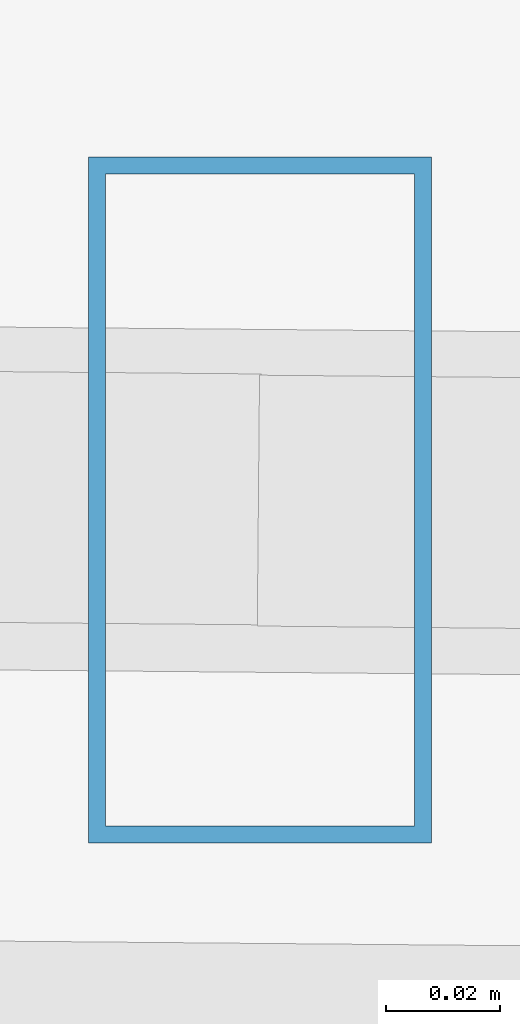
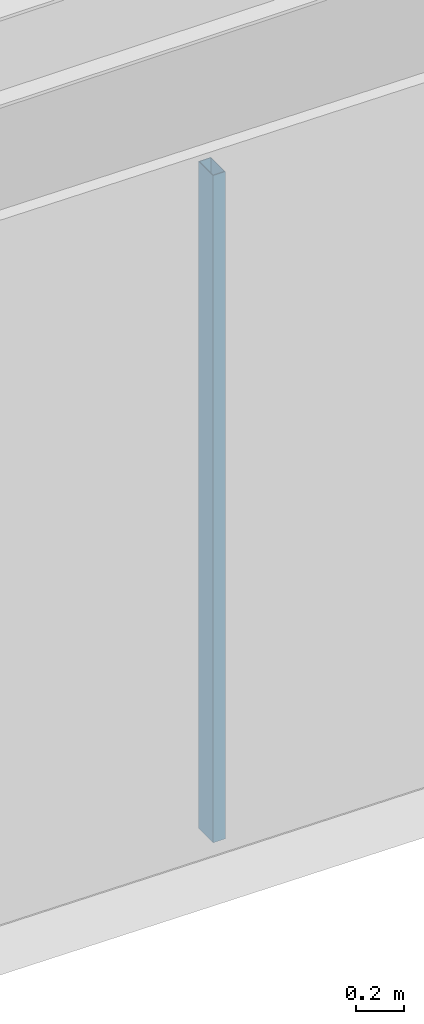
# One storey, part 13 of 49: 1 member, 1 element without a shape of its own.
"""IFC4 building model written with IfcOpenShell, lengths in metres."""

from ifc_helpers import new_model, si_unit, direction, frame, origin, origin_2d, place, context, subcontext, project, spatial, hollow_rectangle, extrude, source, transform, mapped, material, material_profile, profile_set, type_object, type_shapes, element, aggregate, save


model = new_model("IFC4")

# Units and contexts
model_context = context("Model", 3, precision=1e-05, world=origin(), true_north=direction((0.0, 1.0)))
body_context = subcontext(model_context, "Body", "Model", "MODEL_VIEW")
ifc_project = project(units=[si_unit("LENGTHUNIT", "METRE"), si_unit("AREAUNIT", "SQUARE_METRE"), si_unit("VOLUMEUNIT", "CUBIC_METRE"), si_unit("PLANEANGLEUNIT", "RADIAN"), si_unit("MASSUNIT", "GRAM", prefix="KILO")], contexts=[model_context])

# Site, building, storey
site_placement = place(None, origin())
site = spatial("IfcSite", under=ifc_project, at=site_placement, CompositionType="ELEMENT")
building_placement = place(site_placement, origin())
building = spatial("IfcBuilding", under=site, at=building_placement, Name="Caelisora Broadcast Tower", CompositionType="ELEMENT")
storey_placement = place(building_placement, frame((0.0, 0.0, 233.5)))
storey = spatial("IfcBuildingStorey", under=building, at=storey_placement, Name="L61", CompositionType="ELEMENT", Elevation=233.5)

# Curtain wall, member
ifc_material_1 = material(Name="Unitised Aluminium Insulated Shadow-Box Spandrel Curtain Wall", Category="aluminium")
curtain_wall_type = type_object("IfcCurtainWallType", Name="CW-SP3", PredefinedType="NOTDEFINED", material=ifc_material_1)
curtain_wall_placement = place(storey_placement, origin())
curtain_wall = element("IfcCurtainWall", 1, at=curtain_wall_placement, inside=storey, type_object=curtain_wall_type, Name="L61 curtain wall CW-SP3", PredefinedType="NOTDEFINED")
ifc_material_2 = material(Name="Aluminium 6063-T6 Anodised Terracotta Bronze", Category="aluminium")
ifc_material_profile = material_profile(ifc_material_2, hollow_rectangle(XDim=0.06005859375, YDim=0.1201171875, WallThickness=0.0029296875, at=origin_2d()), Name="Aluminium 6063-T6 Anodised Terracotta Bronze")
ifc_profile_set = profile_set([ifc_material_profile], Name="Aluminium 6063-T6 Anodised Terracotta Bronze")
member_type = type_object("IfcMemberType", Name="CWM-04", PredefinedType="MULLION", material=ifc_profile_set)
shared_shape = source(origin(), body_context, "Body", "SweptSolid", [
    extrude(hollow_rectangle(XDim=0.06005859375, YDim=0.1201171875, WallThickness=0.0029296875, at=origin_2d()), origin(), (0.0, 0.0, 1.0), 3.39990234375),
])
type_shapes(member_type, [shared_shape])
member_placement = place(storey_placement, frame((40.169921875, 7.478759765625, 0.0), z_axis=(0.0, 0.0, 1.0), x_axis=(1.0, 0.0, 0.0)))
member = element("IfcMember", 2, at=member_placement, type_object=member_type, Name="L61-CW-B06 mullion #1", PredefinedType="MULLION", context=body_context, shape_type="MappedRepresentation", body=[
    mapped(shared_shape, transform((0.0, 0.0, 0.0), scale=1.0)),
])
aggregate(curtain_wall, [member])

save(model, "model.ifc")
